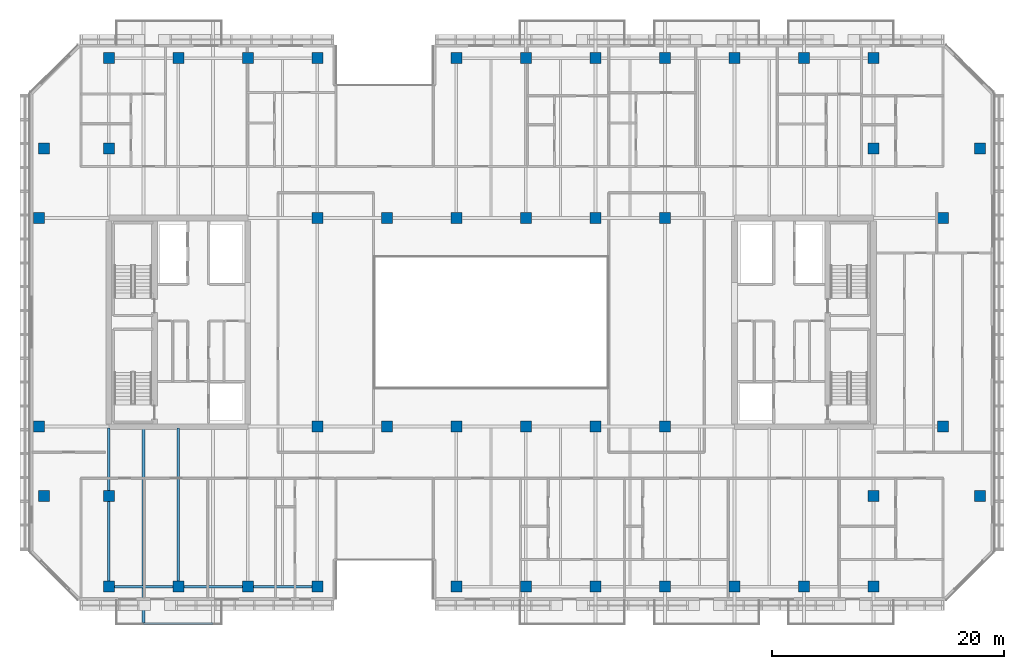
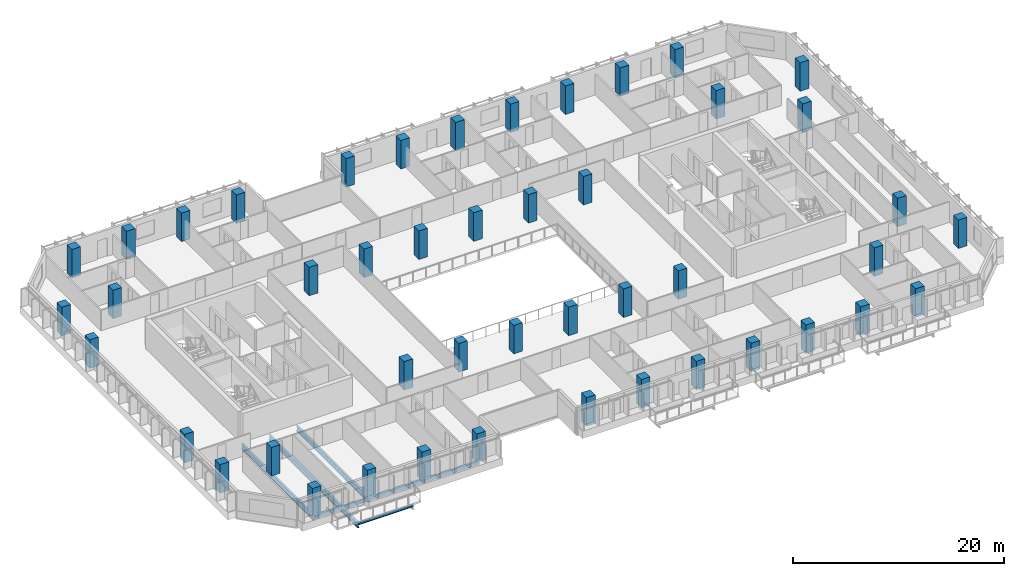
# One storey, part 1 of 23: 46 columns, 7 beams.
"""IFC4 building model written with IfcOpenShell, lengths in metres."""

from ifc_helpers import new_model, si_unit, direction, frame, origin, origin_2d, place, context, subcontext, project, spatial, rectangle, hollow_rectangle, i_section, extrude, material, material_profile, profile_set, type_object, element, save


model = new_model("IFC4")

# Units and contexts
model_context = context("Model", 3, precision=1e-05, world=origin(), true_north=direction((0.0, 1.0)))
body_context = subcontext(model_context, "Body", "Model", "MODEL_VIEW")
ifc_project = project(units=[si_unit("LENGTHUNIT", "METRE"), si_unit("AREAUNIT", "SQUARE_METRE"), si_unit("VOLUMEUNIT", "CUBIC_METRE"), si_unit("PLANEANGLEUNIT", "RADIAN"), si_unit("MASSUNIT", "GRAM", prefix="KILO")], contexts=[model_context])

# Site, building, storey
site_placement = place(None, origin())
site = spatial("IfcSite", under=ifc_project, at=site_placement, CompositionType="ELEMENT")
building_placement = place(site_placement, origin())
building = spatial("IfcBuilding", under=site, at=building_placement, Name="Tanjung Sevakor Pilgrim Tower", CompositionType="ELEMENT")
storey_placement = place(building_placement, frame((0.0, 0.0, 105.27001953125)))
storey = spatial("IfcBuildingStorey", under=building, at=storey_placement, Name="L29", CompositionType="ELEMENT", Elevation=105.27001953125)

# Columns
ifc_material_1 = material(Name="Concrete C60/75", Category="concrete")
ifc_material_profile_1 = material_profile(ifc_material_1, rectangle(XDim=0.949951171875, YDim=0.949951171875, at=origin_2d()))
ifc_profile_set_1 = profile_set([ifc_material_profile_1], Name="Concrete C60/75")
column_type = type_object("IfcColumnType", Name="COL-C-T950-RC_950x950", PredefinedType="COLUMN", material=ifc_profile_set_1)
for number, where, z_axis, x_axis, name in (
    (1, (18.0, 24.60009765625, 0.0), (0.0, 0.0, 1.0), (1.0, 0.0, 0.0), "L29 Column SPW-018-246"),
    (2, (18.0, 42.60009765625, 0.0), (0.0, 0.0, 1.0), (1.0, 0.0, 0.0), "L29 Column SPW-018-426"),
    (3, (42.0, 24.60009765625, 0.0), (0.0, 0.0, 1.0), (1.0, 0.0, 0.0), "L29 Column SPW-042-246"),
    (4, (42.0, 42.60009765625, 0.0), (0.0, 0.0, 1.0), (1.0, 0.0, 0.0), "L29 Column SPW-042-426"),
    (5, (48.0, 24.60009765625, 0.0), (0.0, 0.0, 1.0), (1.0, 0.0, 0.0), "L29 Column SPW-048-246"),
    (6, (48.0, 42.60009765625, 0.0), (0.0, 0.0, 1.0), (1.0, 0.0, 0.0), "L29 Column SPW-048-426"),
    (7, (54.0, 24.60009765625, 0.0), (0.0, 0.0, 1.0), (1.0, 0.0, 0.0), "L29 Column SPE-054-246"),
    (8, (54.0, 42.60009765625, 0.0), (0.0, 0.0, 1.0), (1.0, 0.0, 0.0), "L29 Column SPE-054-426"),
    (9, (60.0, 24.60009765625, 0.0), (0.0, 0.0, 1.0), (1.0, 0.0, 0.0), "L29 Column SPE-060-246"),
    (10, (60.0, 42.60009765625, 0.0), (0.0, 0.0, 1.0), (1.0, 0.0, 0.0), "L29 Column SPE-060-426"),
    (11, (66.0, 24.60009765625, 0.0), (0.0, 0.0, 1.0), (1.0, 0.0, 0.0), "L29 Column SPE-066-246"),
    (12, (66.0, 42.60009765625, 0.0), (0.0, 0.0, 1.0), (1.0, 0.0, 0.0), "L29 Column SPE-066-426"),
    (13, (72.0, 24.60009765625, 0.0), (0.0, 0.0, 1.0), (1.0, 0.0, 0.0), "L29 Column SPE-072-246"),
    (14, (72.0, 42.60009765625, 0.0), (0.0, 0.0, 1.0), (1.0, 0.0, 0.0), "L29 Column SPE-072-426"),
    (15, (96.0, 24.60009765625, 0.0), (0.0, 0.0, 1.0), (1.0, 0.0, 0.0), "L29 Column SPE-096-246"),
    (16, (96.0, 42.60009765625, 0.0), (0.0, 0.0, 1.0), (1.0, 0.0, 0.0), "L29 Column SPE-096-426"),
    (17, (18.39990234375, 18.60009765625, 0.0), (0.0, 0.0, 1.0), (1.0, 0.0, 0.0), "L29 Column TCE-0184-186"),
    (18, (18.39990234375, 48.60009765625, 0.0), (0.0, 0.0, 1.0), (1.0, 0.0, 0.0), "L29 Column TCE-0184-486"),
    (19, (24.0, 18.60009765625, 0.0), (0.0, 0.0, 1.0), (1.0, 0.0, 0.0), "L29 Column TCE-0240-186"),
    (20, (24.0, 48.60009765625, 0.0), (0.0, 0.0, 1.0), (1.0, 0.0, 0.0), "L29 Column TCE-0240-486"),
    (21, (90.0, 18.60009765625, 0.0), (0.0, 0.0, 1.0), (1.0, 0.0, 0.0), "L29 Column TCE-0900-186"),
    (22, (90.0, 48.60009765625, 0.0), (0.0, 0.0, 1.0), (1.0, 0.0, 0.0), "L29 Column TCE-0900-486"),
    (23, (99.199951171875, 18.60009765625, 0.0), (0.0, 0.0, 1.0), (1.0, 0.0, 0.0), "L29 Column TCE-0992-186"),
    (24, (99.199951171875, 48.60009765625, 0.0), (0.0, 0.0, 1.0), (1.0, 0.0, 0.0), "L29 Column TCE-0992-486"),
    (25, (24.0, 10.800048828125, 0.0), (0.0, 0.0, 1.0), (1.0, 0.0, 0.0), "L29 Column TC2-024-108"),
    (26, (24.0, 56.39990234375, 0.0), (0.0, 0.0, 1.0), (1.0, 0.0, 0.0), "L29 Column TC2-024-564"),
    (27, (30.0, 10.800048828125, 0.0), (0.0, 0.0, 1.0), (1.0, 0.0, 0.0), "L29 Column TC2-030-108"),
    (28, (30.0, 56.39990234375, 0.0), (0.0, 0.0, 1.0), (1.0, 0.0, 0.0), "L29 Column TC2-030-564"),
    (29, (36.0, 10.800048828125, 0.0), (0.0, 0.0, 1.0), (1.0, 0.0, 0.0), "L29 Column TC2-036-108"),
    (30, (36.0, 56.39990234375, 0.0), (0.0, 0.0, 1.0), (1.0, 0.0, 0.0), "L29 Column TC2-036-564"),
    (31, (42.0, 10.800048828125, 0.0), (0.0, 0.0, 1.0), (1.0, 0.0, 0.0), "L29 Column TC2-042-108"),
    (32, (42.0, 56.39990234375, 0.0), (0.0, 0.0, 1.0), (1.0, 0.0, 0.0), "L29 Column TC2-042-564"),
    (33, (54.0, 10.800048828125, 0.0), (0.0, 0.0, 1.0), (1.0, 0.0, 0.0), "L29 Column TC2-054-108"),
    (34, (54.0, 56.39990234375, 0.0), (0.0, 0.0, 1.0), (1.0, 0.0, 0.0), "L29 Column TC2-054-564"),
    (35, (60.0, 10.800048828125, 0.0), (0.0, 0.0, 1.0), (1.0, 0.0, 0.0), "L29 Column TC2-060-108"),
    (36, (60.0, 56.39990234375, 0.0), (0.0, 0.0, 1.0), (1.0, 0.0, 0.0), "L29 Column TC2-060-564"),
    (37, (66.0, 10.800048828125, 0.0), (0.0, 0.0, 1.0), (1.0, 0.0, 0.0), "L29 Column TC2-066-108"),
    (38, (66.0, 56.39990234375, 0.0), (0.0, 0.0, 1.0), (1.0, 0.0, 0.0), "L29 Column TC2-066-564"),
    (39, (72.0, 10.800048828125, 0.0), (0.0, 0.0, 1.0), (1.0, 0.0, 0.0), "L29 Column TC2-072-108"),
    (40, (72.0, 56.39990234375, 0.0), (0.0, 0.0, 1.0), (1.0, 0.0, 0.0), "L29 Column TC2-072-564"),
    (41, (78.0, 10.800048828125, 0.0), (0.0, 0.0, 1.0), (1.0, 0.0, 0.0), "L29 Column TC2-078-108"),
    (42, (78.0, 56.39990234375, 0.0), (0.0, 0.0, 1.0), (1.0, 0.0, 0.0), "L29 Column TC2-078-564"),
    (43, (84.0, 10.800048828125, 0.0), (0.0, 0.0, 1.0), (1.0, 0.0, 0.0), "L29 Column TC2-084-108"),
    (44, (84.0, 56.39990234375, 0.0), (0.0, 0.0, 1.0), (1.0, 0.0, 0.0), "L29 Column TC2-084-564"),
    (45, (90.0, 10.800048828125, 0.0), (0.0, 0.0, 1.0), (1.0, 0.0, 0.0), "L29 Column TC2-090-108"),
    (46, (90.0, 56.39990234375, 0.0), (0.0, 0.0, 1.0), (1.0, 0.0, 0.0), "L29 Column TC2-090-564"),
):
    element("IfcColumn", number, at=place(storey_placement, frame(where, z_axis=z_axis, x_axis=x_axis)), inside=storey, type_object=column_type, Name=name, PredefinedType="COLUMN", context=body_context, shape_type="SweptSolid", body=[
        extrude(rectangle(XDim=0.949951171875, YDim=0.949951171875, at=origin_2d()), origin(), (0.0, 0.0, 1.0), 3.300048828125),
    ])

# Beams
ifc_material_2 = material(Name="Steel S355J2", Category="steel")
ifc_material_profile_2 = material_profile(ifc_material_2, i_section(OverallWidth=0.230224609375, OverallDepth=0.6171875, WebThickness=0.01318359375, FlangeThickness=0.022216796875, FilletRadius=0.0126953125, at=origin_2d()))
ifc_profile_set_2 = profile_set([ifc_material_profile_2], Name="Steel S355J2")
beam_type_1 = type_object("IfcBeamType", Name="BM-B-G3-UB_610x229x140", PredefinedType="BEAM", material=ifc_profile_set_2)
for number, where, z_axis, x_axis, name in (
    (47, (24.0, 10.800048828125, -0.528564453125), (0.0, 1.0, 0.0), (-1.0, 0.0, 0.0), "L29 MAIN Girder 001"),
    (48, (30.0, 10.800048828125, -0.528564453125), (0.0, 1.0, 0.0), (-1.0, 0.0, 0.0), "L29 MAIN Girder 003"),
):
    element("IfcBeam", number, at=place(storey_placement, frame(where, z_axis=z_axis, x_axis=x_axis)), inside=storey, type_object=beam_type_1, Name=name, PredefinedType="BEAM", context=body_context, shape_type="SweptSolid", body=[
        extrude(i_section(OverallWidth=0.230224609375, OverallDepth=0.6171875, WebThickness=0.01318359375, FlangeThickness=0.022216796875, FilletRadius=0.0126953125, at=origin_2d()), origin(), (0.0, 0.0, 1.0), 13.672607421875),
    ])
ifc_material_3 = material(Name="Steel S355J2", Category="steel")
ifc_material_profile_3 = material_profile(ifc_material_3, i_section(OverallWidth=0.22900390625, OverallDepth=0.6123046875, WebThickness=0.011962890625, FlangeThickness=0.01953125, FilletRadius=0.0126953125, at=origin_2d()))
ifc_profile_set_3 = profile_set([ifc_material_profile_3], Name="Steel S355J2")
beam_type_2 = type_object("IfcBeamType", Name="BM-B-G4-UB_610x229x125", PredefinedType="BEAM", material=ifc_profile_set_3)
beam_1_placement = place(storey_placement, frame((27.0, 24.47265625, -0.526123046875), z_axis=(0.0, -1.0, 0.0), x_axis=(1.0, 0.0, 0.0)))
element("IfcBeam", 49, at=beam_1_placement, inside=storey, type_object=beam_type_2, Name="L29 Balcony Cantilever Beam MAIN-S1-1", PredefinedType="BEAM", context=body_context, shape_type="SweptSolid", body=[
    extrude(i_section(OverallWidth=0.22900390625, OverallDepth=0.6123046875, WebThickness=0.011962890625, FlangeThickness=0.01953125, FilletRadius=0.0126953125, at=origin_2d()), origin(), (0.0, 0.0, 1.0), 16.8525390625),
])
ifc_material_4 = material(Name="Steel S355J2", Category="steel")
ifc_material_profile_4 = material_profile(ifc_material_4, i_section(OverallWidth=0.146484375, OverallDepth=0.256103515625, WebThickness=0.00634765625, FlangeThickness=0.010986328125, FilletRadius=0.007568359375, at=origin_2d()))
ifc_profile_set_4 = profile_set([ifc_material_profile_4], Name="Steel S355J2")
beam_type_3 = type_object("IfcBeamType", Name="BM-B-J6-UB_254x146x37", PredefinedType="JOIST", material=ifc_profile_set_4)
beam_2_placement = place(storey_placement, frame((27.0, 7.6201171875, -0.328125), z_axis=(1.0, 0.0, 0.0), x_axis=(0.0, 1.0, 0.0)))
element("IfcBeam", 50, at=beam_2_placement, inside=storey, type_object=beam_type_3, Name="L29 Balcony Rim Tie MAIN-S1", PredefinedType="JOIST", context=body_context, shape_type="SweptSolid", body=[
    extrude(i_section(OverallWidth=0.146484375, OverallDepth=0.256103515625, WebThickness=0.00634765625, FlangeThickness=0.010986328125, FilletRadius=0.007568359375, at=origin_2d()), origin(), (0.0, 0.0, 1.0), 6.0),
])
ifc_material_5 = material(Name="Steel S355J2", Category="steel")
ifc_material_profile_5 = material_profile(ifc_material_5, hollow_rectangle(XDim=0.199951171875, YDim=0.39990234375, WallThickness=0.01611328125, at=origin_2d()))
ifc_profile_set_5 = profile_set([ifc_material_profile_5], Name="Steel S355J2")
beam_type_4 = type_object("IfcBeamType", Name="BM-B-SP2-RHS_400x200x16", PredefinedType="SPANDREL", material=ifc_profile_set_5)
for number, where, z_axis, x_axis, name in (
    (51, (24.0, 10.800048828125, -0.419921875), (1.0, 0.0, 0.0), (0.0, 1.0, 0.0), "L29 Spandrel MAIN S-01"),
    (52, (30.0, 10.800048828125, -0.419921875), (1.0, 0.0, 0.0), (0.0, 1.0, 0.0), "L29 Spandrel MAIN S-03"),
    (53, (36.0, 10.800048828125, -0.419921875), (1.0, 0.0, 0.0), (0.0, 1.0, 0.0), "L29 Spandrel MAIN S-05"),
):
    element("IfcBeam", number, at=place(storey_placement, frame(where, z_axis=z_axis, x_axis=x_axis)), inside=storey, type_object=beam_type_4, Name=name, PredefinedType="SPANDREL", context=body_context, shape_type="SweptSolid", body=[
        extrude(hollow_rectangle(XDim=0.199951171875, YDim=0.39990234375, WallThickness=0.01611328125, at=origin_2d()), origin(), (0.0, 0.0, 1.0), 6.0),
    ])

save(model, "model.ifc")
